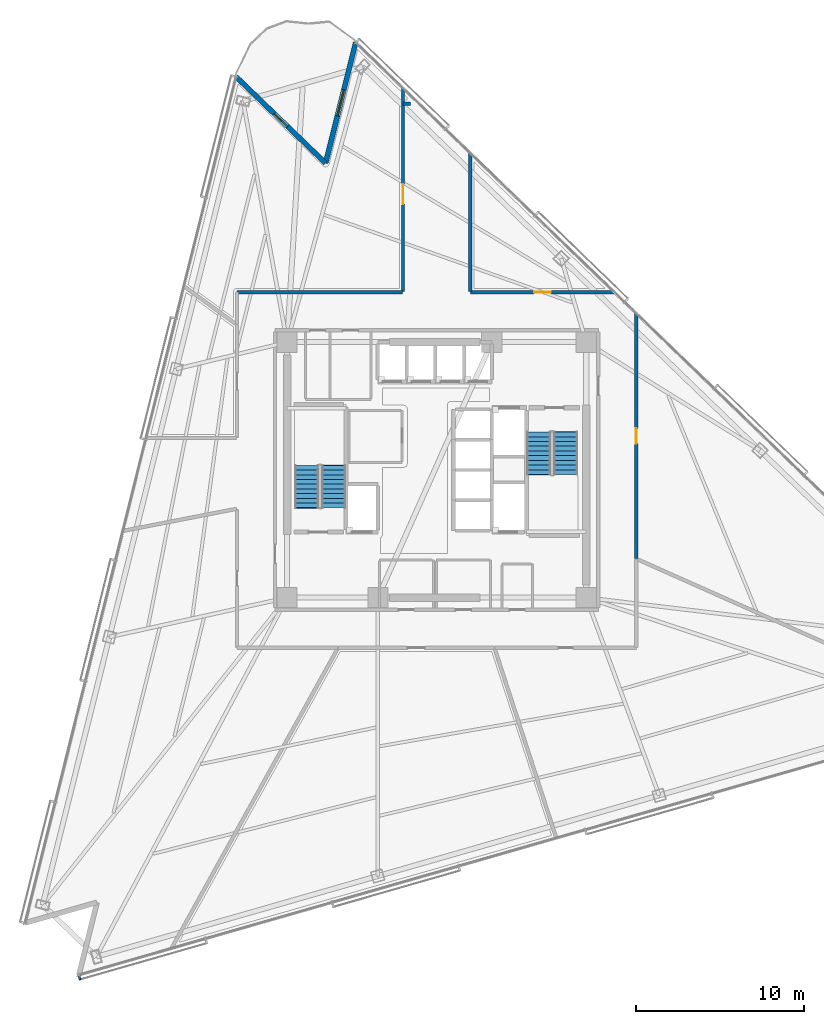
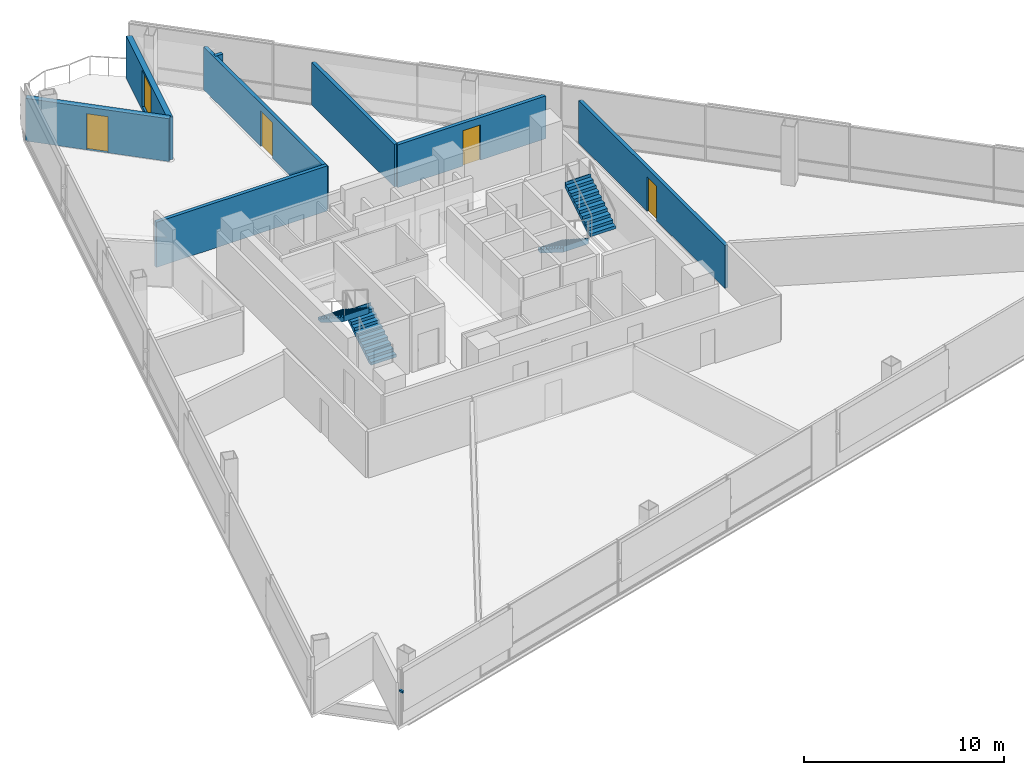
# One storey, part 11 of 17: 8 walls, 4 doors, 4 stair flights, 1 discrete accessory, 1 window, 5 openings, 2 elements without a shape of their own.
"""IFC4 building model written with IfcOpenShell, lengths in metres."""

import ifcopenshell
import ifcopenshell.guid

model = None  # the IFC model being written
_history = None  # IfcOwnerHistory: only IFC2X3 demands one
_inside = {}  # id of a spatial element -> (the spatial element, [elements in it])
_under = {}  # id of a project, library or spatial element -> (it, [spatial elements below it])
_declared = {}  # id of a project -> (the project, [libraries it declares])
_typed = {}  # id of a type object -> (the type object, [elements of that type])
_made_of = {}  # id of a material, layer set ... -> (it, [elements and type objects made of it])


def new_model(schema):
    """Start an empty IFC model of exactly this schema.

    Asked for "IFC4X3", IfcOpenShell would pick the latest addendum, in which some entities
    have other attributes; the version numbers below select the first issue.
    IFC2X3 requires an IfcOwnerHistory on every rooted entity: one is made here for all.
    """
    global model, _history
    if schema == "IFC4X3":
        model = ifcopenshell.file(schema_version=(4, 3, 0, 0))
    else:
        model = ifcopenshell.file(schema=schema)
    _inside.clear()
    _under.clear()
    _declared.clear()
    _typed.clear()
    _made_of.clear()
    _history = None
    if model.schema == "IFC2X3":
        org = make("IfcOrganization", Name="unknown")
        user = make(
            "IfcPersonAndOrganization",
            ThePerson=make("IfcPerson", FamilyName="unknown"),
            TheOrganization=org,
        )
        app = make(
            "IfcApplication",
            ApplicationDeveloper=org,
            Version="unknown",
            ApplicationFullName="unknown",
            ApplicationIdentifier="unknown",
        )
        _history = make(
            "IfcOwnerHistory",
            OwningUser=user,
            OwningApplication=app,
            ChangeAction="ADDED",
            CreationDate=0,
        )
    return model


def make(cls, **values):
    """One entity of the class cls with the attributes given. An attribute that is None is left unset."""
    return model.create_entity(
        cls, **{name: value for name, value in values.items() if value is not None}
    )


def rooted(cls, **values):
    """An entity with a GlobalId (a new one), such as an element, a storey or a relation."""
    return make(cls, GlobalId=ifcopenshell.guid.new(), OwnerHistory=_history, **values)


def si_unit(unit_type, name, prefix=None):
    """IfcSIUnit, for example si_unit("LENGTHUNIT", "METRE", prefix="MILLI")."""
    return make("IfcSIUnit", UnitType=unit_type, Prefix=prefix, Name=name)


def assignment(units):
    """IfcUnitAssignment: the units of a project."""
    return None if units is None else make("IfcUnitAssignment", Units=units)


def point(xyz):
    """IfcCartesianPoint."""
    return None if xyz is None else make("IfcCartesianPoint", Coordinates=xyz)


def direction(xyz):
    """IfcDirection."""
    return None if xyz is None else make("IfcDirection", DirectionRatios=xyz)


def frame(location, z_axis=None, x_axis=None):
    """IfcAxis2Placement3D, a coordinate frame: its origin and axes. An axis left out is left unset."""
    return make(
        "IfcAxis2Placement3D",
        Location=point(location),
        Axis=direction(z_axis),
        RefDirection=direction(x_axis),
    )


def frame_2d(location, x_axis=None):
    """IfcAxis2Placement2D, a coordinate frame in the plane: its origin and x axis."""
    return make(
        "IfcAxis2Placement2D", Location=point(location), RefDirection=direction(x_axis)
    )


def origin():
    """The frame at (0, 0, 0) with its axes left unset."""
    return frame((0.0, 0.0, 0.0))


def origin_2d():
    """The frame at (0, 0) in the plane with its x axis left unset."""
    return frame_2d((0.0, 0.0))


def place(relative_to, where):
    """IfcLocalPlacement: puts the frame where relative to a parent placement (None: the world)."""
    return make(
        "IfcLocalPlacement", PlacementRelTo=relative_to, RelativePlacement=where
    )


def context(
    kind, dimensions, precision=None, world=None, true_north=None, identifier=None
):
    """IfcGeometricRepresentationContext, for example the 3D "Model" context."""
    return make(
        "IfcGeometricRepresentationContext",
        ContextIdentifier=identifier,
        ContextType=kind,
        CoordinateSpaceDimension=dimensions,
        Precision=precision,
        WorldCoordinateSystem=world,
        TrueNorth=true_north,
    )


def subcontext(parent, identifier, kind, view, scale=None):
    """IfcGeometricRepresentationSubContext, for example "Body" below "Model"."""
    return make(
        "IfcGeometricRepresentationSubContext",
        ContextIdentifier=identifier,
        ContextType=kind,
        ParentContext=parent,
        TargetScale=scale,
        TargetView=view,
    )


def project(units=None, contexts=None):
    """IfcProject with its units and contexts."""
    return rooted(
        "IfcProject",
        Name="project",
        RepresentationContexts=contexts,
        UnitsInContext=assignment(units),
    )


def spatial(cls, under=None, at=None, **own):
    """A site, building, storey or space (cls), placed at a placement, below another one or the project."""
    s = rooted(cls, ObjectPlacement=at, **own)
    if under is not None:
        _under.setdefault(under.id(), (under, []))[1].append(s)
    return s


def polyline(points):
    """IfcPolyline through the points."""
    return make("IfcPolyline", Points=[point(p) for p in points])


def profile(cls, at=None, kind="AREA", **sizes):
    """A parametric profile (cls). Its sizes go by their IFC names, for example OverallWidth=200.0."""
    return make(cls, ProfileType=kind, Position=at, **sizes)


def rectangle(**sizes):
    """IfcRectangleProfileDef."""
    return profile("IfcRectangleProfileDef", **sizes)


def outline(outer, holes=None, kind="AREA"):
    """IfcArbitraryClosedProfileDef: a profile drawn as a closed curve; with holes, ...WithVoids."""
    if holes is None:
        return make("IfcArbitraryClosedProfileDef", ProfileType=kind, OuterCurve=outer)
    return make(
        "IfcArbitraryProfileDefWithVoids",
        ProfileType=kind,
        OuterCurve=outer,
        InnerCurves=holes,
    )


def extrude(swept, where, along, depth):
    """IfcExtrudedAreaSolid: the profile swept, set in the frame where, extruded along a direction by depth."""
    return make(
        "IfcExtrudedAreaSolid",
        SweptArea=swept,
        Position=where,
        ExtrudedDirection=direction(along),
        Depth=depth,
    )


def shape(context_of_items, identifier, shape_type, items):
    """IfcShapeRepresentation: the items that make up one representation, for example the "Body"."""
    return make(
        "IfcShapeRepresentation",
        ContextOfItems=context_of_items,
        RepresentationIdentifier=identifier,
        RepresentationType=shape_type,
        Items=items,
    )


def material(Name=None, Category=None):
    """IfcMaterial."""
    return make("IfcMaterial", Name=Name, Category=Category)


def layer(
    of_material, thickness, ventilated=None, Name=None, Category=None, Priority=None
):
    """IfcMaterialLayer: one layer of a wall or slab, of a material (None: an air gap)."""
    return make(
        "IfcMaterialLayer",
        Material=of_material,
        LayerThickness=thickness,
        IsVentilated=ventilated,
        Name=Name,
        Category=Category,
        Priority=Priority,
    )


def layer_set(layers, Name=None):
    """IfcMaterialLayerSet."""
    return make("IfcMaterialLayerSet", MaterialLayers=layers, LayerSetName=Name)


def made_of(thing, what):
    """Note that an element or type object is made of a material, layer set ...; save() writes the relation."""
    if what is not None:
        _made_of.setdefault(what.id(), (what, []))[1].append(thing)
    return thing


def type_object(cls, material=None, **own):
    """A type object (cls), such as IfcWallType, which elements share."""
    return made_of(rooted(cls, **own), material)


def element(
    cls,
    number,
    at=None,
    inside=None,
    cuts=None,
    type_object=None,
    material=None,
    context=None,
    identifier="Body",
    shape_type=None,
    held_by="IfcProductDefinitionShape",
    body=None,
    shapes=None,
    **own,
):
    """One element of the class cls, such as IfcWall. Its Tag is "e" and its number.

    at: its placement. inside: the storey or other place that contains it. cuts: it is an
    opening in that element (IfcRelVoidsElement). A single representation is given by context,
    identifier, shape_type and body (its items); several are given by shapes. held_by: the class
    of the entity that holds the representations. save() writes the other relations.
    """
    e = rooted(cls, Tag="e%d" % number, ObjectPlacement=at, **own)
    if body is not None:
        shapes = [shape(context, identifier, shape_type, body)]
    if shapes is not None:
        e.Representation = make(held_by, Representations=shapes)
    if inside is not None:
        _inside.setdefault(inside.id(), (inside, []))[1].append(e)
    if cuts is not None:
        rooted(
            "IfcRelVoidsElement", RelatingBuildingElement=cuts, RelatedOpeningElement=e
        )
    if type_object is not None:
        _typed.setdefault(type_object.id(), (type_object, []))[1].append(e)
    return made_of(e, material)


def fill(opening, filler):
    """IfcRelFillsElement: the door or window that sits in an opening."""
    return rooted(
        "IfcRelFillsElement",
        RelatingOpeningElement=opening,
        RelatedBuildingElement=filler,
    )


def aggregate(whole, parts):
    """IfcRelAggregates: a whole, such as a stair, and the parts it consists of."""
    return rooted("IfcRelAggregates", RelatingObject=whole, RelatedObjects=parts)


def save(model, path):
    """Write the relations noted so far, then the file.

    IfcRelAggregates (storeys below a building ...), IfcRelContainedInSpatialStructure (elements
    in a storey), IfcRelDefinesByType, IfcRelAssociatesMaterial and IfcRelDeclares: one each for
    every whole, place, type object, material and project.
    """
    for whole, parts in _under.values():
        aggregate(whole, parts)
    for where, things in _inside.values():
        rooted(
            "IfcRelContainedInSpatialStructure",
            RelatedElements=things,
            RelatingStructure=where,
        )
    for kind, things in _typed.values():
        rooted("IfcRelDefinesByType", RelatedObjects=things, RelatingType=kind)
    for what, things in _made_of.values():
        rooted("IfcRelAssociatesMaterial", RelatedObjects=things, RelatingMaterial=what)
    for by, libraries in _declared.values():
        rooted("IfcRelDeclares", RelatingContext=by, RelatedDefinitions=libraries)
    model.write(path)


model = new_model("IFC4")

# Units and contexts
model_context = context("Model", 3, precision=1e-05, world=origin(), true_north=direction((0.0, 1.0)))
body_context = subcontext(model_context, "Body", "Model", "MODEL_VIEW")
ifc_project = project(units=[si_unit("LENGTHUNIT", "METRE"), si_unit("AREAUNIT", "SQUARE_METRE"), si_unit("VOLUMEUNIT", "CUBIC_METRE"), si_unit("PLANEANGLEUNIT", "RADIAN"), si_unit("MASSUNIT", "GRAM", prefix="KILO")], contexts=[model_context])

# Site, building, storey
site_placement = place(None, origin())
site = spatial("IfcSite", under=ifc_project, at=site_placement, CompositionType="ELEMENT")
building_placement = place(site_placement, origin())
building = spatial("IfcBuilding", under=site, at=building_placement, Name="Tharavind Bronze Gate", CompositionType="ELEMENT")
storey_placement = place(building_placement, frame((0.0, 0.0, 96.89990234375)))
storey = spatial("IfcBuildingStorey", under=building, at=storey_placement, Name="L24", CompositionType="ELEMENT", Elevation=96.89990234375)

# Wall, opening, window
ifc_material_1 = material(Name="Concrete C40/50", Category="concrete")
ifc_layer_1 = layer(ifc_material_1, 0.300048828125)
ifc_layer_set_1 = layer_set([ifc_layer_1], Name="Concrete C40/50")
wall_type_1 = type_object("IfcWallType", Name="EXTERIOR SPANDREL WALL 300", PredefinedType="STANDARD", material=ifc_layer_set_1)
wall_1_placement = place(storey_placement, frame((-4.8203125, 25.433837890625, 0.0), z_axis=(0.0, 0.0, 1.0), x_axis=(-0.241930078207, -0.970293686086, 0.0)))
wall_1 = element("IfcWall", 1, at=wall_1_placement, inside=storey, type_object=wall_type_1, Name="L24 notch cheek wall 1A", PredefinedType="STANDARD", context=body_context, shape_type="SweptSolid", body=[
    extrude(rectangle(XDim=7.39990234375, YDim=0.300048828125, at=frame_2d((3.699951171875, 0.0))), origin(), (0.0, 0.0, 1.0), 2.60498046875),
])
opening_1_placement = place(wall_1_placement, frame((2.89990234375, 0.0, 0.25)))
opening_1 = element("IfcOpeningElement", 2, at=opening_1_placement, cuts=wall_1, Name="Opening W05", PredefinedType="OPENING", context=body_context, shape_type="SweptSolid", body=[
    extrude(rectangle(XDim=1.60009765625, YDim=2.199951171875, at=frame_2d((0.800048828125, 1.10009765625))), frame((0.0, 0.15990234375, 0.0), z_axis=(0.0, -1.0, 0.0), x_axis=(1.0, 0.0, 0.0)), (0.0, 0.0, 1.0), 0.320048828125),
])
ifc_material_2 = material(Name="Bronze Aluminium & Low-E Glass", Category="aluminium")
window_type = type_object("IfcWindowType", Name="OFFICE NOTCH BRONZE WINDOW 1600X2200", PartitioningType="DOUBLE_PANEL_VERTICAL", PredefinedType="WINDOW", material=ifc_material_2)
window_placement = place(opening_1_placement, origin())
window = element("IfcWindow", 3, at=window_placement, inside=storey, type_object=window_type, Name="L24 exterior window WL-L24-NCA1-01", OverallHeight=2.199951171875, OverallWidth=1.60009765625, PartitioningType="SINGLE_PANEL", PredefinedType="WINDOW", context=body_context, shape_type="SweptSolid", body=[
    extrude(rectangle(XDim=1.60009765625, YDim=2.199951171875, at=frame_2d((0.800048828125, 1.10009765625))), frame((0.0, 0.030029296875, 0.0), z_axis=(0.0, -1.0, 0.0), x_axis=(1.0, 0.0, 0.0)), (0.0, 0.0, 1.0), 0.06005859375),
])
fill(opening_1, window)

# Wall, opening, door
wall_2_placement = place(storey_placement, frame((-6.610595703125, 18.253662109375, 0.0), z_axis=(0.0, 0.0, 1.0), x_axis=(-0.719321869339, 0.694676938073, 0.0)))
wall_2 = element("IfcWall", 4, at=wall_2_placement, inside=storey, type_object=wall_type_1, Name="L24 notch cheek wall 1B", PredefinedType="STANDARD", context=body_context, shape_type="SweptSolid", body=[
    extrude(rectangle(XDim=7.39990234375, YDim=0.300048828125, at=frame_2d((3.699951171875, 0.0))), origin(), (0.0, 0.0, 1.0), 2.60498046875),
])
opening_2_placement = place(wall_2_placement, frame((3.14990234375, 0.0, 0.0)))
opening_2 = element("IfcOpeningElement", 5, at=opening_2_placement, cuts=wall_2, Name="Opening ED04", PredefinedType="OPENING", context=body_context, shape_type="SweptSolid", body=[
    extrude(rectangle(XDim=1.10009765625, YDim=2.199951171875, at=frame_2d((0.550048828125, 1.10009765625))), frame((0.0, 0.15990234375, 0.0), z_axis=(0.0, -1.0, 0.0), x_axis=(1.0, 0.0, 0.0)), (0.0, 0.0, 1.0), 0.320048828125),
])
ifc_material_3 = material(Name="Bronze Aluminium & Toughened Glass", Category="aluminium")
door_type_1 = type_object("IfcDoorType", Name="TREE BALCONY ACCESS DOOR 1100X2200", OperationType="SINGLE_SWING_LEFT", PredefinedType="DOOR", material=ifc_material_3)
door_1_placement = place(opening_2_placement, origin())
door_1 = element("IfcDoor", 6, at=door_1_placement, inside=storey, type_object=door_type_1, Name="L24 tree balcony access door", OperationType="SINGLE_SWING_LEFT", OverallHeight=2.199951171875, OverallWidth=1.10009765625, PredefinedType="DOOR", context=body_context, shape_type="SweptSolid", body=[
    extrude(rectangle(XDim=1.10009765625, YDim=2.199951171875, at=frame_2d((0.550048828125, 1.10009765625))), frame((0.0, 0.02490234375, 0.0), z_axis=(0.0, -1.0, 0.0), x_axis=(1.0, 0.0, 0.0)), (0.0, 0.0, 1.0), 0.050048828125),
])
fill(opening_2, door_1)

ifc_material_4 = material(Name="Aerated Concrete Block", Category="concrete")
ifc_layer_2 = layer(ifc_material_4, 0.199951171875)
ifc_layer_set_2 = layer_set([ifc_layer_2], Name="Aerated Concrete Block")
wall_type_2 = type_object("IfcWallType", Name="FIRE RATED PARTITION 200", PredefinedType="PARTITIONING", material=ifc_layer_set_2)
wall_3_placement = place(storey_placement, frame((10.561279296875, 10.580078125, 0.0), z_axis=(0.0, 0.0, 1.0), x_axis=(-1.0, 0.0, 0.0)))
wall_3 = element("IfcWall", 7, at=wall_3_placement, inside=storey, type_object=wall_type_2, Name="L24 Collaborative Open Office partition", PredefinedType="PARTITIONING", context=body_context, shape_type="SweptSolid", body=[
    extrude(rectangle(XDim=8.536376953125, YDim=0.199951171875, at=frame_2d((4.26806640625, 0.0))), origin(), (0.0, 0.0, 1.0), 2.60498046875),
])
opening_3_placement = place(wall_3_placement, frame((3.76806640625, 0.0, 0.0)))
opening_3 = element("IfcOpeningElement", 8, at=opening_3_placement, cuts=wall_3, Name="Opening ID04", PredefinedType="OPENING", context=body_context, shape_type="SweptSolid", body=[
    extrude(rectangle(XDim=1.0, YDim=2.14990234375, at=frame_2d((0.5, 1.074951171875))), frame((0.0, 0.11009765625, 0.0), z_axis=(0.0, -1.0, 0.0), x_axis=(1.0, 0.0, 0.0)), (0.0, 0.0, 1.0), 0.219951171875),
])
ifc_material_5 = material(Name="Bronze Framed Acoustic Timber", Category="wood")
door_type_2 = type_object("IfcDoorType", Name="OFFICE TENANCY DOOR 1000X2150", OperationType="SINGLE_SWING_RIGHT", PredefinedType="DOOR", material=ifc_material_5)
door_2_placement = place(opening_3_placement, origin())
door_2 = element("IfcDoor", 9, at=door_2_placement, inside=storey, type_object=door_type_2, Name="L24 Collaborative Open Office door", OperationType="SINGLE_SWING_RIGHT", OverallHeight=2.14990234375, OverallWidth=1.0, PredefinedType="DOOR", context=body_context, shape_type="SweptSolid", body=[
    extrude(rectangle(XDim=1.0, YDim=2.14990234375, at=frame_2d((0.5, 1.074951171875))), frame((0.0, 0.02490234375, 0.0), z_axis=(0.0, -1.0, 0.0), x_axis=(1.0, 0.0, 0.0)), (0.0, 0.0, 1.0), 0.050048828125),
])
fill(opening_3, door_2)

# Walls
wall_4_placement = place(storey_placement, frame((2.0, 10.60498046875, 0.0), z_axis=(0.0, 0.0, 1.0), x_axis=(0.0, 1.0, 0.0)))
element("IfcWall", 10, at=wall_4_placement, inside=storey, type_object=wall_type_2, Name="L24 Collaborative Open Office partition", PredefinedType="PARTITIONING", context=body_context, shape_type="SweptSolid", body=[
    extrude(rectangle(XDim=8.242431640625, YDim=0.199951171875, at=frame_2d((4.12109375, 0.0))), origin(), (0.0, 0.0, 1.0), 2.60498046875),
])
wall_5_placement = place(storey_placement, frame((-1.55126953125, 21.800048828125, 0.0), z_axis=(0.0, 0.0, 1.0), x_axis=(-1.0, 0.0, 0.0)))
element("IfcWall", 11, at=wall_5_placement, inside=storey, type_object=wall_type_2, Name="L24 Townhall Conference Room partition", PredefinedType="PARTITIONING", context=body_context, shape_type="SweptSolid", body=[
    extrude(rectangle(XDim=0.4482421875, YDim=0.199951171875, at=frame_2d((0.22412109375, 0.0))), origin(), (0.0, 0.0, 1.0), 2.60498046875),
])

# Wall, opening, door
wall_6_placement = place(storey_placement, frame((-2.0, 22.710205078125, 0.0), z_axis=(0.0, 0.0, 1.0), x_axis=(0.0, -1.0, 0.0)))
wall_6 = element("IfcWall", 12, at=wall_6_placement, inside=storey, type_object=wall_type_2, Name="L24 Townhall Conference Room partition", PredefinedType="PARTITIONING", context=body_context, shape_type="SweptSolid", body=[
    extrude(rectangle(XDim=12.105224609375, YDim=0.199951171875, at=frame_2d((6.052734375, 0.0))), origin(), (0.0, 0.0, 1.0), 2.60498046875),
])
opening_4_placement = place(wall_6_placement, frame((5.697998046875, 0.0, 0.0)))
opening_4 = element("IfcOpeningElement", 13, at=opening_4_placement, cuts=wall_6, Name="Opening ID05", PredefinedType="OPENING", context=body_context, shape_type="SweptSolid", body=[
    extrude(rectangle(XDim=1.199951171875, YDim=2.14990234375, at=frame_2d((0.60009765625, 1.074951171875))), frame((0.0, 0.11009765625, 0.0), z_axis=(0.0, -1.0, 0.0), x_axis=(1.0, 0.0, 0.0)), (0.0, 0.0, 1.0), 0.219951171875),
])
ifc_material_6 = material(Name="Acoustic Laminated Glass", Category="glass")
door_type_3 = type_object("IfcDoorType", Name="MEETING ROOM GLAZED DOOR 1200X2150", OperationType="SINGLE_SWING_LEFT", PredefinedType="DOOR", material=ifc_material_6)
door_3_placement = place(opening_4_placement, origin())
door_3 = element("IfcDoor", 14, at=door_3_placement, inside=storey, type_object=door_type_3, Name="L24 Townhall Conference Room door", OperationType="SINGLE_SWING_LEFT", OverallHeight=2.14990234375, OverallWidth=1.199951171875, PredefinedType="DOOR", context=body_context, shape_type="SweptSolid", body=[
    extrude(rectangle(XDim=1.199951171875, YDim=2.14990234375, at=frame_2d((0.60009765625, 1.074951171875))), frame((0.0, 0.02490234375, 0.0), z_axis=(0.0, -1.0, 0.0), x_axis=(1.0, 0.0, 0.0)), (0.0, 0.0, 1.0), 0.050048828125),
])
fill(opening_4, door_3)

# Wall
wall_7_placement = place(storey_placement, frame((-2.02490234375, 10.580078125, 0.0), z_axis=(0.0, 0.0, 1.0), x_axis=(-1.0, 0.0, 0.0)))
element("IfcWall", 15, at=wall_7_placement, inside=storey, type_object=wall_type_2, Name="L24 Townhall Conference Room partition", PredefinedType="PARTITIONING", context=body_context, shape_type="SweptSolid", body=[
    extrude(rectangle(XDim=9.8544921875, YDim=0.199951171875, at=frame_2d((4.92724609375, 0.0))), origin(), (0.0, 0.0, 1.0), 2.755126953125),
])

# Wall, opening, door
wall_8_placement = place(storey_placement, frame((11.8798828125, -5.273193359375, 0.0), z_axis=(0.0, 0.0, 1.0), x_axis=(0.0, 1.0, 0.0)))
wall_8 = element("IfcWall", 16, at=wall_8_placement, inside=storey, type_object=wall_type_2, Name="L24 Breakout Tea Pantry partition", PredefinedType="PARTITIONING", context=body_context, shape_type="SweptSolid", body=[
    extrude(rectangle(XDim=14.579833984375, YDim=0.199951171875, at=frame_2d((7.2900390625, 0.0))), origin(), (0.0, 0.0, 1.0), 2.60498046875),
])
opening_5_placement = place(wall_8_placement, frame((6.840087890625, 0.0, 0.0)))
opening_5 = element("IfcOpeningElement", 17, at=opening_5_placement, cuts=wall_8, Name="Opening ID07", PredefinedType="OPENING", context=body_context, shape_type="SweptSolid", body=[
    extrude(rectangle(XDim=0.89990234375, YDim=2.10009765625, at=frame_2d((0.449951171875, 1.050048828125))), frame((0.0, 0.11009765625, 0.0), z_axis=(0.0, -1.0, 0.0), x_axis=(1.0, 0.0, 0.0)), (0.0, 0.0, 1.0), 0.219951171875),
])
ifc_material_7 = material(Name="Galvanised Fire Steel", Category="steel")
door_type_4 = type_object("IfcDoorType", Name="PLANT AND RISER FIRE DOOR 900X2100", OperationType="SINGLE_SWING_LEFT", PredefinedType="DOOR", material=ifc_material_7)
door_4_placement = place(opening_5_placement, origin())
door_4 = element("IfcDoor", 18, at=door_4_placement, inside=storey, type_object=door_type_4, Name="L24 Breakout Tea Pantry door", OperationType="SINGLE_SWING_LEFT", OverallHeight=2.10009765625, OverallWidth=0.89990234375, PredefinedType="DOOR", context=body_context, shape_type="SweptSolid", body=[
    extrude(rectangle(XDim=0.89990234375, YDim=2.10009765625, at=frame_2d((0.449951171875, 1.050048828125))), frame((0.0, 0.02490234375, 0.0), z_axis=(0.0, -1.0, 0.0), x_axis=(1.0, 0.0, 0.0)), (0.0, 0.0, 1.0), 0.050048828125),
])
fill(opening_5, door_4)

# Stair, stair flights
stair_type = type_object("IfcStairType", Name="CORE HALF TURN STAIR 1450", PredefinedType="HALF_TURN_STAIR", material=ifc_material_1)
stair_1_placement = place(storey_placement, origin())
stair_1 = element("IfcStair", 19, at=stair_1_placement, inside=storey, type_object=stair_type, Name="L24 Protected Exit Stair ST1", PredefinedType="HALF_TURN_STAIR")
stair_flight_type = type_object("IfcStairFlightType", Name="CORE STAIR FLIGHT 1450", PredefinedType="STRAIGHT", material=ifc_material_1)
stair_flight_1_placement = place(storey_placement, frame((-6.125, -2.25, 0.0), z_axis=(0.0, 0.0, 1.0), x_axis=(0.0, 1.0, 0.0)))
stair_flight_1 = element("IfcStairFlight", 20, at=stair_flight_1_placement, type_object=stair_flight_type, Name="ST1 flight 1", NumberOfRisers=10, NumberOfTreads=9, PredefinedType="STRAIGHT", RiserHeight=0.18, TreadLength=0.28, context=body_context, shape_type="SweptSolid", body=[
    extrude(outline(polyline([(0.0, 0.0), (0.0, 0.179931640625), (0.280029296875, 0.179931640625), (0.280029296875, 0.360107421875), (0.56005859375, 0.360107421875), (0.56005859375, 0.5400390625), (0.840087890625, 0.5400390625), (0.840087890625, 0.719970703125), (1.1201171875, 0.719970703125), (1.1201171875, 0.89990234375), (1.39990234375, 0.89990234375), (1.39990234375, 1.080078125), (1.679931640625, 1.080078125), (1.679931640625, 1.260009765625), (1.9599609375, 1.260009765625), (1.9599609375, 1.43994140625), (2.239990234375, 1.43994140625), (2.239990234375, 1.6201171875), (2.52001953125, 1.6201171875), (2.52001953125, 1.800048828125), (2.555908203125, 1.800048828125), (2.555908203125, 1.44189453125), (0.277099609375, 0.0), (0.0, 0.0)])), frame((0.0, 0.72509765625, 0.0), z_axis=(0.0, -1.0, 0.0), x_axis=(1.0, 0.0, 0.0)), (0.0, 0.0, 1.0), 1.449951171875),
])
stair_flight_2_placement = place(storey_placement, frame((-7.72509765625, 0.27001953125, 1.800048828125), z_axis=(0.0, 0.0, 1.0), x_axis=(0.0, -1.0, 0.0)))
stair_flight_2 = element("IfcStairFlight", 21, at=stair_flight_2_placement, type_object=stair_flight_type, Name="ST1 flight 2", NumberOfRisers=10, NumberOfTreads=9, PredefinedType="STRAIGHT", RiserHeight=0.18, TreadLength=0.28, context=body_context, shape_type="SweptSolid", body=[
    extrude(outline(polyline([(0.0, 0.0), (0.0, 0.179931640625), (0.280029296875, 0.179931640625), (0.280029296875, 0.360107421875), (0.56005859375, 0.360107421875), (0.56005859375, 0.5400390625), (0.840087890625, 0.5400390625), (0.840087890625, 0.719970703125), (1.1201171875, 0.719970703125), (1.1201171875, 0.89990234375), (1.39990234375, 0.89990234375), (1.39990234375, 1.080078125), (1.679931640625, 1.080078125), (1.679931640625, 1.260009765625), (1.9599609375, 1.260009765625), (1.9599609375, 1.43994140625), (2.239990234375, 1.43994140625), (2.239990234375, 1.6201171875), (2.52001953125, 1.6201171875), (2.52001953125, 1.800048828125), (2.555908203125, 1.800048828125), (2.555908203125, 1.44189453125), (0.277099609375, 0.0), (0.0, 0.0)])), frame((0.0, 0.72509765625, 0.0), z_axis=(0.0, -1.0, 0.0), x_axis=(1.0, 0.0, 0.0)), (0.0, 0.0, 1.0), 1.449951171875),
])
aggregate(stair_1, [stair_flight_1, stair_flight_2])

stair_2_placement = place(storey_placement, origin())
stair_2 = element("IfcStair", 22, at=stair_2_placement, inside=storey, type_object=stair_type, Name="L24 Protected Exit Stair ST2", PredefinedType="HALF_TURN_STAIR")
stair_flight_3_placement = place(storey_placement, frame((6.074951171875, 2.25, 0.0), z_axis=(0.0, 0.0, 1.0), x_axis=(0.0, -1.0, 0.0)))
stair_flight_3 = element("IfcStairFlight", 23, at=stair_flight_3_placement, type_object=stair_flight_type, Name="ST2 flight 1", NumberOfRisers=10, NumberOfTreads=9, PredefinedType="STRAIGHT", RiserHeight=0.18, TreadLength=0.28, context=body_context, shape_type="SweptSolid", body=[
    extrude(outline(polyline([(0.0, 0.0), (0.0, 0.179931640625), (0.280029296875, 0.179931640625), (0.280029296875, 0.360107421875), (0.56005859375, 0.360107421875), (0.56005859375, 0.5400390625), (0.840087890625, 0.5400390625), (0.840087890625, 0.719970703125), (1.1201171875, 0.719970703125), (1.1201171875, 0.89990234375), (1.39990234375, 0.89990234375), (1.39990234375, 1.080078125), (1.679931640625, 1.080078125), (1.679931640625, 1.260009765625), (1.9599609375, 1.260009765625), (1.9599609375, 1.43994140625), (2.239990234375, 1.43994140625), (2.239990234375, 1.6201171875), (2.52001953125, 1.6201171875), (2.52001953125, 1.800048828125), (2.555908203125, 1.800048828125), (2.555908203125, 1.44189453125), (0.277099609375, 0.0), (0.0, 0.0)])), frame((0.0, 0.72509765625, 0.0), z_axis=(0.0, -1.0, 0.0), x_axis=(1.0, 0.0, 0.0)), (0.0, 0.0, 1.0), 1.449951171875),
])
stair_flight_4_placement = place(storey_placement, frame((7.675048828125, -0.27001953125, 1.800048828125), z_axis=(0.0, 0.0, 1.0), x_axis=(0.0, 1.0, 0.0)))
stair_flight_4 = element("IfcStairFlight", 24, at=stair_flight_4_placement, type_object=stair_flight_type, Name="ST2 flight 2", NumberOfRisers=10, NumberOfTreads=9, PredefinedType="STRAIGHT", RiserHeight=0.18, TreadLength=0.28, context=body_context, shape_type="SweptSolid", body=[
    extrude(outline(polyline([(0.0, 0.0), (0.0, 0.179931640625), (0.280029296875, 0.179931640625), (0.280029296875, 0.360107421875), (0.56005859375, 0.360107421875), (0.56005859375, 0.5400390625), (0.840087890625, 0.5400390625), (0.840087890625, 0.719970703125), (1.1201171875, 0.719970703125), (1.1201171875, 0.89990234375), (1.39990234375, 0.89990234375), (1.39990234375, 1.080078125), (1.679931640625, 1.080078125), (1.679931640625, 1.260009765625), (1.9599609375, 1.260009765625), (1.9599609375, 1.43994140625), (2.239990234375, 1.43994140625), (2.239990234375, 1.6201171875), (2.52001953125, 1.6201171875), (2.52001953125, 1.800048828125), (2.555908203125, 1.800048828125), (2.555908203125, 1.44189453125), (0.277099609375, 0.0), (0.0, 0.0)])), frame((0.0, 0.72509765625, 0.0), z_axis=(0.0, -1.0, 0.0), x_axis=(1.0, 0.0, 0.0)), (0.0, 0.0, 1.0), 1.449951171875),
])
aggregate(stair_2, [stair_flight_3, stair_flight_4])

# Discrete accessory
ifc_material_8 = material(Name="Stainless Steel 316", Category="steel")
discrete_accessory_type = type_object("IfcDiscreteAccessoryType", Name="SOLAR SCREEN STANDOFF BRACKET", PredefinedType="BRACKET", material=ifc_material_8)
discrete_accessory_placement = place(storey_placement, frame((-21.245849609375, -30.220703125, 2.094970703125), z_axis=(0.0, 0.0, 1.0), x_axis=(0.961261695938, 0.275637355817, 0.0)))
element("IfcDiscreteAccessory", 25, at=discrete_accessory_placement, inside=storey, type_object=discrete_accessory_type, Name="CW-L24-S2 solar screen bracket 1.1", PredefinedType="BRACKET", context=body_context, shape_type="SweptSolid", body=[
    extrude(rectangle(XDim=0.1201171875, YDim=0.239990234375, at=origin_2d()), origin(), (0.0, 0.0, 1.0), 0.1201171875),
])

save(model, "model.ifc")
